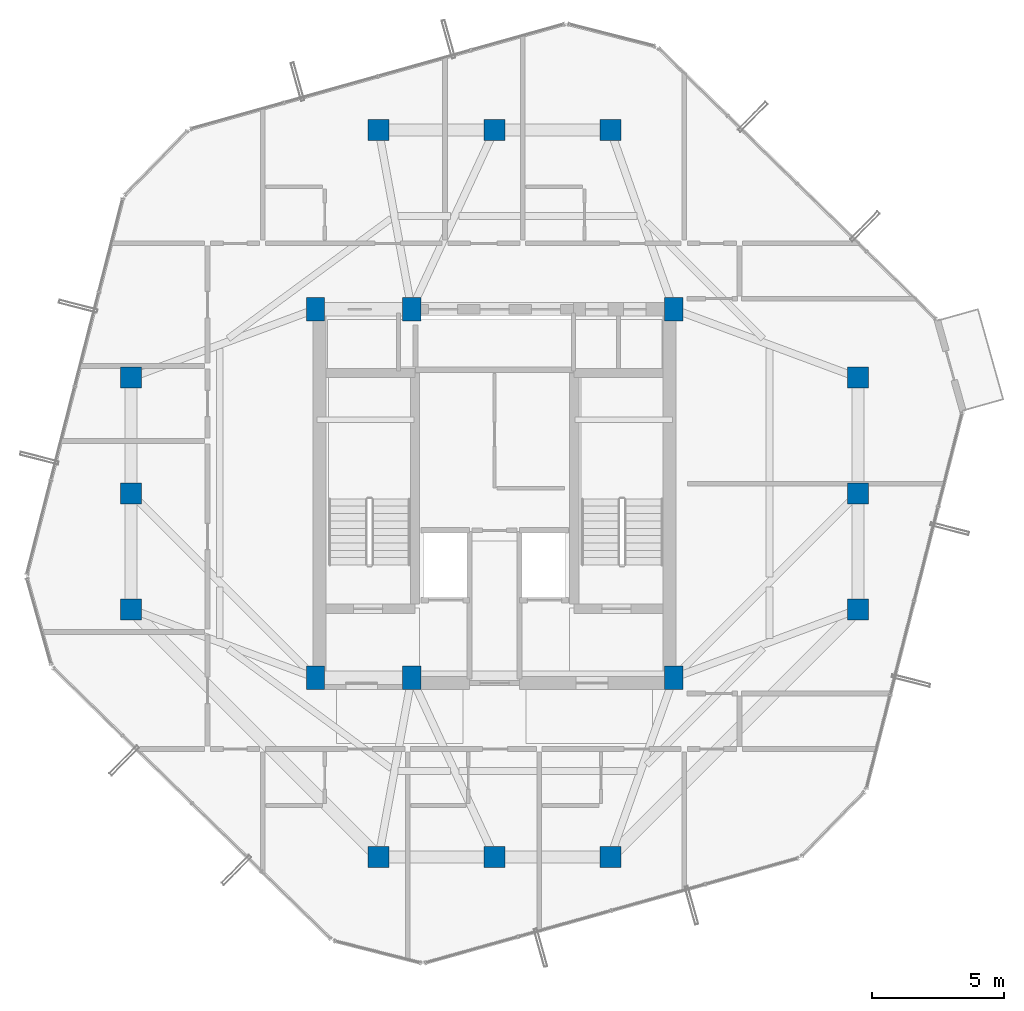
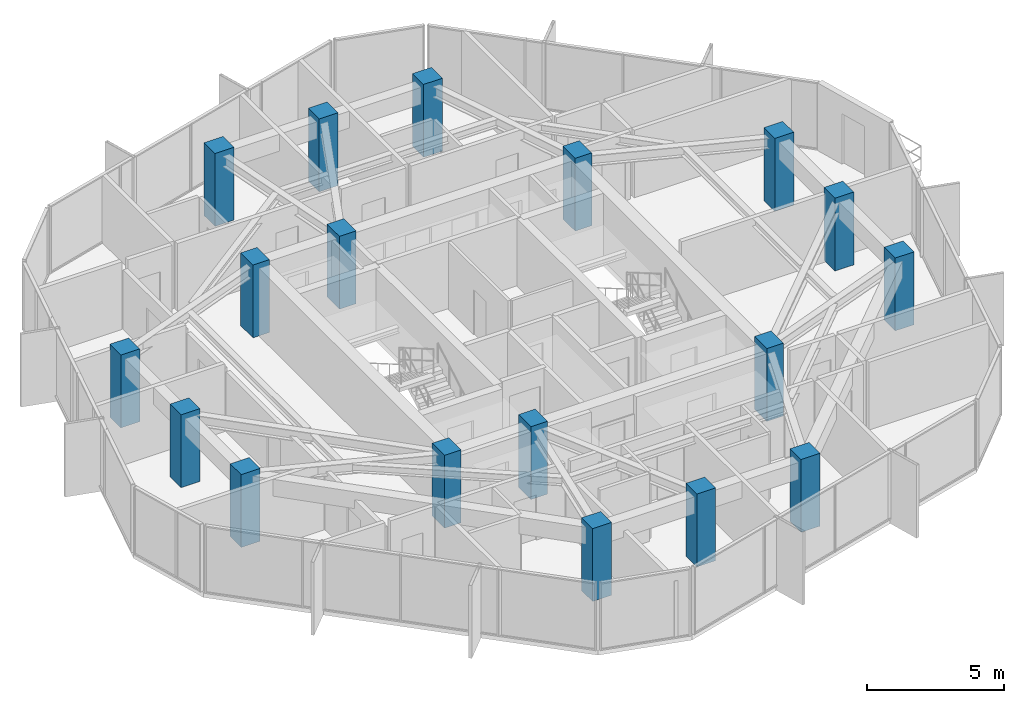
# One storey, part 1 of 29: 18 columns.
"""IFC4 building model written with IfcOpenShell, lengths in metres."""

from ifc_helpers import new_model, si_unit, direction, frame, origin, origin_2d, place, context, subcontext, project, spatial, rectangle, extrude, material, material_profile, profile_set, type_object, element, save


model = new_model("IFC4")

# Units and contexts
model_context = context("Model", 3, precision=1e-05, world=origin(), true_north=direction((0.0, 1.0)))
body_context = subcontext(model_context, "Body", "Model", "MODEL_VIEW")
ifc_project = project(units=[si_unit("LENGTHUNIT", "METRE"), si_unit("AREAUNIT", "SQUARE_METRE"), si_unit("VOLUMEUNIT", "CUBIC_METRE"), si_unit("PLANEANGLEUNIT", "RADIAN"), si_unit("MASSUNIT", "GRAM", prefix="KILO")], contexts=[model_context])

# Site, building, storey
site_placement = place(None, origin())
site = spatial("IfcSite", under=ifc_project, at=site_placement, CompositionType="ELEMENT")
building_placement = place(site_placement, origin())
building = spatial("IfcBuilding", under=site, at=building_placement, Name="Veraguas Prism Commons", CompositionType="ELEMENT")
storey_placement = place(building_placement, frame((0.0, 0.0, 257.75)))
storey = spatial("IfcBuildingStorey", under=building, at=storey_placement, Name="L73", CompositionType="ELEMENT", Elevation=257.75)

# Columns
ifc_material = material(Name="Concrete C50/60", Category="concrete")
ifc_material_profile_1 = material_profile(ifc_material, rectangle(XDim=0.800048828125, YDim=0.800048828125, at=origin_2d()), Name="RC800X800")
ifc_profile_set_1 = profile_set([ifc_material_profile_1], Name="Concrete C50/60")
column_type_1 = type_object("IfcColumnType", Name="Column Tube Z4 RC 800x800", PredefinedType="COLUMN", material=ifc_profile_set_1)
for number, where, z_axis, x_axis, name in (
    (1, (37.800048828125, 19.60009765625, 0.0), (0.0, 0.0, 1.0), (1.0, 0.0, 0.0), "Tower Perimeter Column L73-TB01"),
    (2, (37.800048828125, 24.0, 0.0), (0.0, 0.0, 1.0), (1.0, 0.0, 0.0), "Tower Perimeter Column L73-TB02"),
    (3, (37.800048828125, 28.39990234375, 0.0), (0.0, 0.0, 1.0), (1.0, 0.0, 0.0), "Tower Perimeter Column L73-TB03"),
    (4, (28.39990234375, 37.800048828125, 0.0), (0.0, 0.0, 1.0), (1.0, 0.0, 0.0), "Tower Perimeter Column L73-TB04"),
    (5, (24.0, 37.800048828125, 0.0), (0.0, 0.0, 1.0), (1.0, 0.0, 0.0), "Tower Perimeter Column L73-TB05"),
    (6, (19.60009765625, 37.800048828125, 0.0), (0.0, 0.0, 1.0), (1.0, 0.0, 0.0), "Tower Perimeter Column L73-TB06"),
    (7, (10.199951171875, 28.39990234375, 0.0), (0.0, 0.0, 1.0), (1.0, 0.0, 0.0), "Tower Perimeter Column L73-TB07"),
    (8, (10.199951171875, 24.0, 0.0), (0.0, 0.0, 1.0), (1.0, 0.0, 0.0), "Tower Perimeter Column L73-TB08"),
    (9, (10.199951171875, 19.60009765625, 0.0), (0.0, 0.0, 1.0), (1.0, 0.0, 0.0), "Tower Perimeter Column L73-TB09"),
    (10, (19.60009765625, 10.199951171875, 0.0), (0.0, 0.0, 1.0), (1.0, 0.0, 0.0), "Tower Perimeter Column L73-TB10"),
    (11, (24.0, 10.199951171875, 0.0), (0.0, 0.0, 1.0), (1.0, 0.0, 0.0), "Tower Perimeter Column L73-TB11"),
    (12, (28.39990234375, 10.199951171875, 0.0), (0.0, 0.0, 1.0), (1.0, 0.0, 0.0), "Tower Perimeter Column L73-TB12"),
):
    element("IfcColumn", number, at=place(storey_placement, frame(where, z_axis=z_axis, x_axis=x_axis)), inside=storey, type_object=column_type_1, Name=name, PredefinedType="COLUMN", context=body_context, shape_type="SweptSolid", body=[
        extrude(rectangle(XDim=0.800048828125, YDim=0.800048828125, at=origin_2d()), origin(), (0.0, 0.0, 1.0), 3.25),
    ])
ifc_material_profile_2 = material_profile(ifc_material, rectangle(XDim=0.699951171875, YDim=0.89990234375, at=origin_2d()), Name="RC700X900")
ifc_profile_set_2 = profile_set([ifc_material_profile_2], Name="Concrete C50/60")
column_type_2 = type_object("IfcColumnType", Name="Pilaster Core Upper RC 700x900", PredefinedType="PILASTER", material=ifc_profile_set_2)
for number, where, z_axis, x_axis, name in (
    (13, (17.199951171875, 17.0, 0.0), (0.0, 0.0, 1.0), (1.0, 0.0, 0.0), "Core Pilaster Column L73-CR1"),
    (14, (20.85009765625, 17.0, 0.0), (0.0, 0.0, 1.0), (1.0, 0.0, 0.0), "Core Pilaster Column L73-CR2"),
    (15, (30.800048828125, 17.0, 0.0), (0.0, 0.0, 1.0), (1.0, 0.0, 0.0), "Core Pilaster Column L73-CR3"),
    (16, (17.199951171875, 31.0, 0.0), (0.0, 0.0, 1.0), (1.0, 0.0, 0.0), "Core Pilaster Column L73-CR4"),
    (17, (20.85009765625, 31.0, 0.0), (0.0, 0.0, 1.0), (1.0, 0.0, 0.0), "Core Pilaster Column L73-CR5"),
    (18, (30.800048828125, 31.0, 0.0), (0.0, 0.0, 1.0), (1.0, 0.0, 0.0), "Core Pilaster Column L73-CR6"),
):
    element("IfcColumn", number, at=place(storey_placement, frame(where, z_axis=z_axis, x_axis=x_axis)), inside=storey, type_object=column_type_2, Name=name, PredefinedType="PILASTER", context=body_context, shape_type="SweptSolid", body=[
        extrude(rectangle(XDim=0.699951171875, YDim=0.89990234375, at=origin_2d()), origin(), (0.0, 0.0, 1.0), 3.25),
    ])

save(model, "model.ifc")
